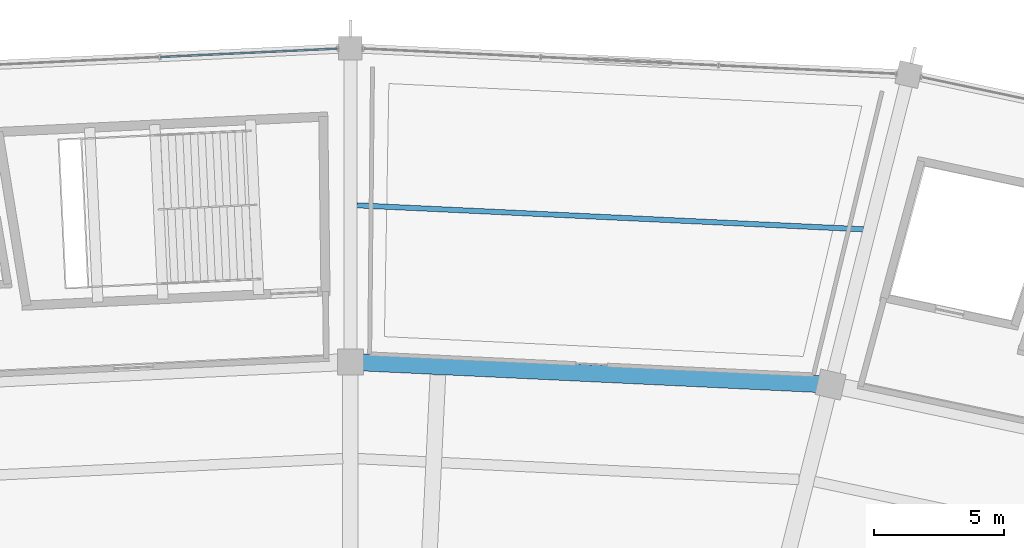
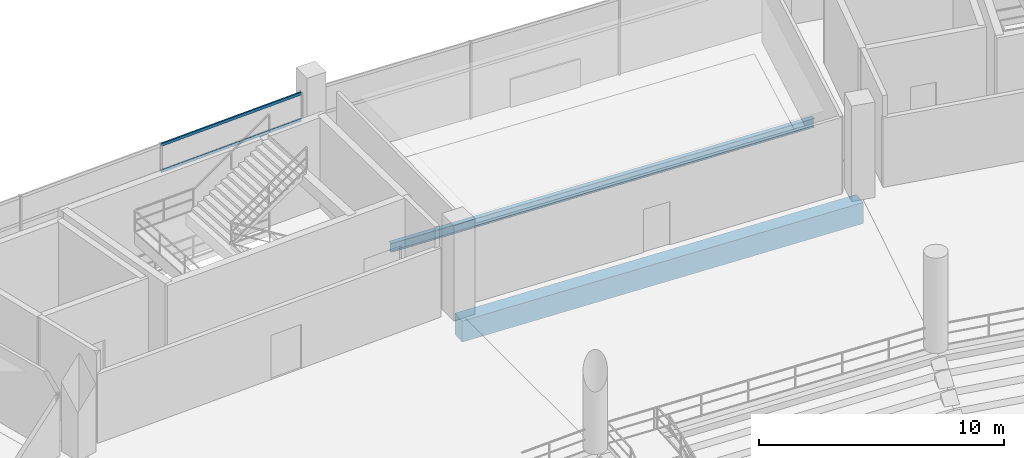
# One storey, part 84 of 156: 2 beams, 2 members, 1 element without a shape of its own.
"""IFC4 building model written with IfcOpenShell, lengths in metres."""

from ifc_helpers import new_model, si_unit, direction, frame, origin, origin_2d, place, context, subcontext, project, spatial, rectangle, hollow_rectangle, i_section, extrude, material, layer, layer_set, material_profile, profile_set, type_object, element, aggregate, save


model = new_model("IFC4")

# Units and contexts
model_context = context("Model", 3, precision=1e-05, world=origin(), true_north=direction((0.0, 1.0)))
body_context = subcontext(model_context, "Body", "Model", "MODEL_VIEW")
ifc_project = project(units=[si_unit("LENGTHUNIT", "METRE"), si_unit("AREAUNIT", "SQUARE_METRE"), si_unit("VOLUMEUNIT", "CUBIC_METRE"), si_unit("PLANEANGLEUNIT", "RADIAN"), si_unit("MASSUNIT", "GRAM", prefix="KILO")], contexts=[model_context])

# Site, building, storey
site_placement = place(None, origin())
site = spatial("IfcSite", under=ifc_project, at=site_placement, CompositionType="ELEMENT")
building_placement = place(site_placement, origin())
building = spatial("IfcBuilding", under=site, at=building_placement, Name="Kazemori Nagisa Stadium", CompositionType="ELEMENT")
storey_placement = place(building_placement, frame((0.0, 0.0, 5.780029296875)))
storey = spatial("IfcBuildingStorey", under=building, at=storey_placement, Name="L01", CompositionType="ELEMENT", Elevation=5.780029296875)

# Beams
ifc_material_1 = material(Name="Concrete C40/50 (Fc42)", Category="concrete")
ifc_material_profile_1 = material_profile(ifc_material_1, rectangle(XDim=0.64990234375, YDim=1.050048828125, at=origin_2d()), Name="RC-BM-650x1050")
ifc_profile_set_1 = profile_set([ifc_material_profile_1], Name="Concrete C40/50 (Fc42)")
beam_type_1 = type_object("IfcBeamType", Name="Beam_BG-RC650X1050", PredefinedType="BEAM", material=ifc_profile_set_1)
beam_1_placement = place(storey_placement, frame((141.427734375, 175.088623046875, -0.804931640625), z_axis=(-0.9988839804, 0.047231278829, 0.0), x_axis=(-0.047231278829, -0.9988839804, 0.0)))
element("IfcBeam", 1, at=beam_1_placement, inside=storey, type_object=beam_type_1, Name="Ring girder BG-RC650X1050 L01 R2-07", PredefinedType="BEAM", context=body_context, shape_type="SweptSolid", body=[
    extrude(rectangle(XDim=0.64990234375, YDim=1.050048828125, at=origin_2d()), origin(), (0.0, 0.0, 1.0), 18.4482421875),
])
ifc_material_2 = material(Name="Steel SN490B", Category="steel")
ifc_material_profile_2 = material_profile(ifc_material_2, i_section(OverallWidth=0.199951171875, OverallDepth=0.449951171875, WebThickness=0.009033203125, FlangeThickness=0.013916015625, FilletRadius=0.012939453125, at=origin_2d()), Name="H-450x200x9x14")
ifc_profile_set_2 = profile_set([ifc_material_profile_2], Name="Steel SN490B")
beam_type_2 = type_object("IfcBeamType", Name="Beam_BJ-H450", PredefinedType="JOIST", material=ifc_profile_set_2)
beam_2_placement = place(storey_placement, frame((142.68310546875, 181.04931640625, -0.505126953125), z_axis=(-0.998883835953, 0.047234333614, 0.0), x_axis=(-0.047234333614, -0.998883835953, 0.0)))
element("IfcBeam", 2, at=beam_2_placement, inside=storey, type_object=beam_type_2, Name="Outer bay joist BJ-H450 L01 B07", PredefinedType="JOIST", context=body_context, shape_type="SweptSolid", body=[
    extrude(i_section(OverallWidth=0.199951171875, OverallDepth=0.449951171875, WebThickness=0.009033203125, FlangeThickness=0.013916015625, FilletRadius=0.012939453125, at=origin_2d()), origin(), (0.0, 0.0, 1.0), 19.460205078125),
])

# Curtain wall, members
ifc_material_3 = material(Name="Anodised aluminium 6063-T5", Category="aluminium")
ifc_layer = layer(ifc_material_3, 0.179931640625, Name="Anodised aluminium 6063-T5", Category="aluminium")
ifc_layer_set = layer_set([ifc_layer], Name="Anodised aluminium 6063-T5")
curtain_wall_type = type_object("IfcCurtainWallType", Name="CW_L01R3_103", PredefinedType="USERDEFINED", material=ifc_layer_set)
curtain_wall_placement = place(storey_placement, origin())
curtain_wall = element("IfcCurtainWall", 3, at=curtain_wall_placement, inside=storey, type_object=curtain_wall_type, Name="Unitised curtain wall CW-L01R3-103 L01", ObjectType="UNITISED CURTAIN WALL", PredefinedType="USERDEFINED")
ifc_material_4 = material(Name="Aluminium 6063-T5 anodised", Category="aluminium")
ifc_material_profile_3 = material_profile(ifc_material_4, hollow_rectangle(XDim=0.070068359375, YDim=0.139892578125, WallThickness=0.00390625, at=origin_2d()), Name="ALU-TRAN-70x140x4")
ifc_profile_set_3 = profile_set([ifc_material_profile_3], Name="Aluminium 6063-T5 anodised")
member_type = type_object("IfcMemberType", Name="Transom_T01", PredefinedType="USERDEFINED", material=ifc_profile_set_3)
member_1_placement = place(storey_placement, frame((122.505615234375, 187.9765625, 2.4638671875), z_axis=(-0.998884581669, -0.047218561007, 0.0), x_axis=(0.047218561007, -0.998884581669, 0.0)))
member_1 = element("IfcMember", 4, at=member_1_placement, type_object=member_type, Name="Curtain wall transom CW-L01R3-103-T1-mid", ObjectType="TRANSOM", PredefinedType="USERDEFINED", context=body_context, shape_type="SweptSolid", body=[
    extrude(hollow_rectangle(XDim=0.070068359375, YDim=0.139892578125, WallThickness=0.00390625, at=origin_2d()), origin(), (0.0, 0.0, 1.0), 6.7939453125),
])
member_2_placement = place(storey_placement, frame((122.505615234375, 187.9765625, 3.780029296875), z_axis=(-0.998884581669, -0.047218561007, 0.0), x_axis=(0.047218561007, -0.998884581669, 0.0)))
member_2 = element("IfcMember", 5, at=member_2_placement, type_object=member_type, Name="Curtain wall transom CW-L01R3-103-T1-head", ObjectType="TRANSOM", PredefinedType="USERDEFINED", context=body_context, shape_type="SweptSolid", body=[
    extrude(hollow_rectangle(XDim=0.070068359375, YDim=0.139892578125, WallThickness=0.00390625, at=origin_2d()), origin(), (0.0, 0.0, 1.0), 6.7939453125),
])
aggregate(curtain_wall, [member_1, member_2])

save(model, "model.ifc")
